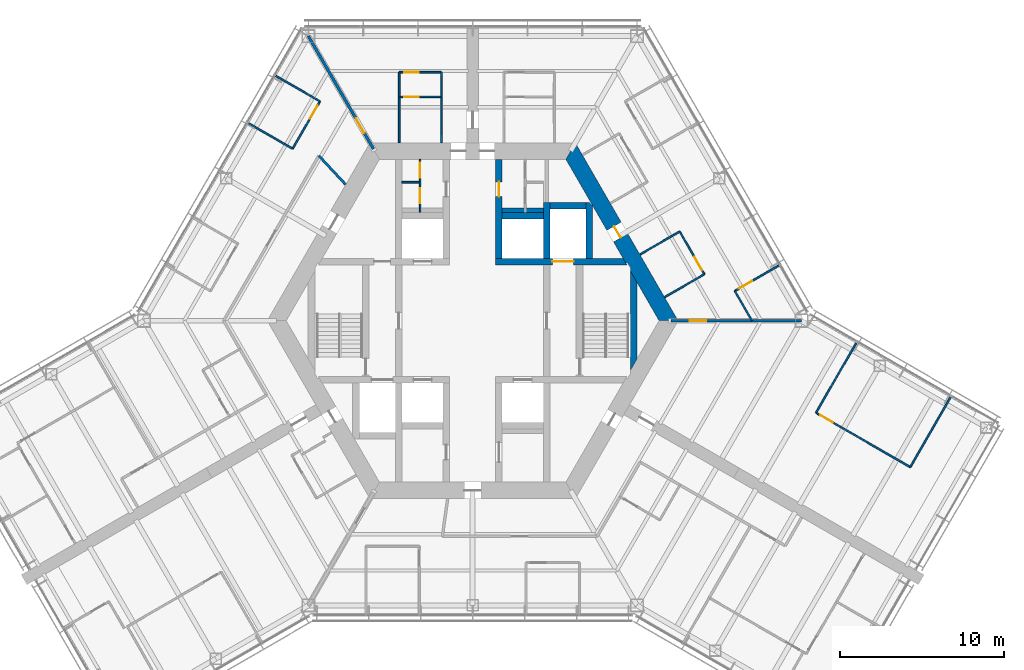
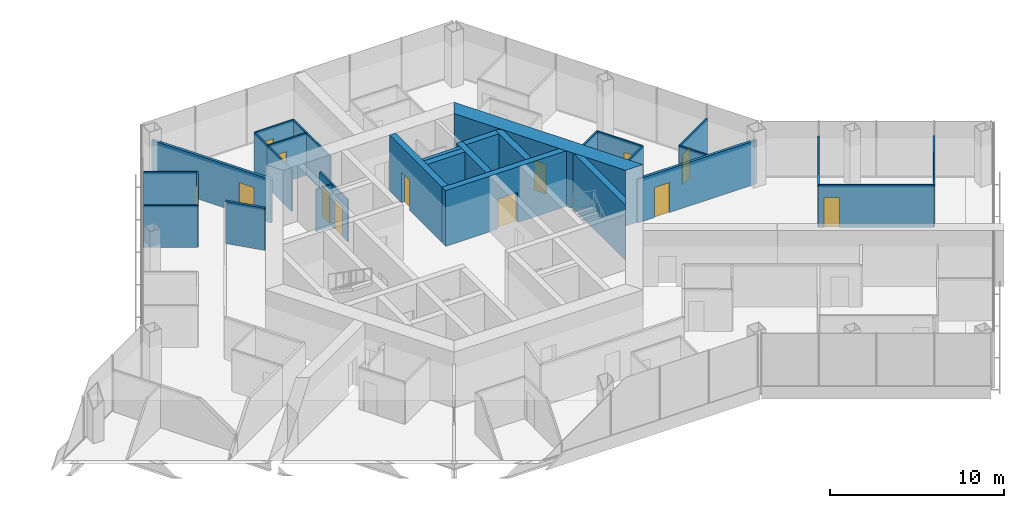
# One storey, part 15 of 19: 31 walls, 13 doors, 13 openings.
"""IFC4 building model written with IfcOpenShell, lengths in metres."""

from ifc_helpers import new_model, si_unit, direction, frame, frame_2d, origin, place, context, subcontext, project, spatial, polyline, rectangle, outline, extrude, material, layer, layer_set, type_object, element, fill, save


model = new_model("IFC4")

# Units and contexts
model_context = context("Model", 3, precision=1e-05, world=origin(), true_north=direction((0.0, 1.0)))
body_context = subcontext(model_context, "Body", "Model", "MODEL_VIEW")
ifc_project = project(units=[si_unit("LENGTHUNIT", "METRE"), si_unit("AREAUNIT", "SQUARE_METRE"), si_unit("VOLUMEUNIT", "CUBIC_METRE"), si_unit("PLANEANGLEUNIT", "RADIAN"), si_unit("MASSUNIT", "GRAM", prefix="KILO")], contexts=[model_context])

# Site, building, storey
site_placement = place(None, origin())
site = spatial("IfcSite", under=ifc_project, at=site_placement, CompositionType="ELEMENT")
building_placement = place(site_placement, origin())
building = spatial("IfcBuilding", under=site, at=building_placement, Name="Kasaneha Research Tower", CompositionType="ELEMENT")
storey_placement = place(building_placement, frame((0.0, 0.0, 160.39990234375)))
storey = spatial("IfcBuildingStorey", under=building, at=storey_placement, Name="L40", CompositionType="ELEMENT", Elevation=160.39990234375)

# Wall, opening, door
ifc_material_1 = material(Name="Concrete Fc70", Category="concrete")
ifc_layer_1 = layer(ifc_material_1, 0.39990234375)
ifc_layer_set_1 = layer_set([ifc_layer_1], Name="Core internal wall 400 Fc70")
wall_type_1 = type_object("IfcWallType", Name="Core internal wall 400 Fc70", PredefinedType="SHEAR", material=ifc_layer_set_1)
wall_1_placement = place(storey_placement, frame((1.39990234375, 3.60009765625, 0.0), z_axis=(0.0, 0.0, 1.0), x_axis=(1.0, 0.0, 0.0)))
wall_1 = element("IfcWall", 1, at=wall_1_placement, inside=storey, type_object=wall_type_1, Name="Core wall W1E L40", PredefinedType="SHEAR", context=body_context, shape_type="SweptSolid", body=[
    extrude(outline(polyline([(0.0, -0.199951171875), (3.449951171875, -0.199951171875), (4.75, -0.199951171875), (7.98193359375, -0.199951171875), (7.7509765625, 0.199951171875), (4.75, 0.199951171875), (3.449951171875, 0.199951171875), (0.0, 0.199951171875), (0.0, -0.199951171875)])), origin(), (0.0, 0.0, 1.0), 3.900146484375),
])
opening_1_placement = place(wall_1_placement, frame((3.449951171875, 0.0, 0.0)))
opening_1 = element("IfcOpeningElement", 2, at=opening_1_placement, cuts=wall_1, Name="Opening LD-FL1-L40", PredefinedType="OPENING", context=body_context, shape_type="SweptSolid", body=[
    extrude(rectangle(XDim=1.300048828125, YDim=2.10009765625, at=frame_2d((0.64990234375, 1.050048828125))), frame((0.0, 0.2099609375, 0.0), z_axis=(0.0, -1.0, 0.0), x_axis=(1.0, 0.0, 0.0)), (0.0, 0.0, 1.0), 0.419921875),
])
ifc_material_2 = material(Name="Steel", Category="steel")
door_type_1 = type_object("IfcDoorType", Name="Lift landing door 1300x2100", OperationType="DOUBLE_DOOR_SLIDING", PredefinedType="DOOR", material=ifc_material_2)
door_1_placement = place(opening_1_placement, origin())
door_1 = element("IfcDoor", 3, at=door_1_placement, inside=storey, type_object=door_type_1, Name="Landing door FL1 LD-FL1-L40", OperationType="DOUBLE_DOOR_SLIDING", OverallHeight=2.10009765625, OverallWidth=1.300048828125, PredefinedType="DOOR", context=body_context, shape_type="SweptSolid", body=[
    extrude(rectangle(XDim=1.300048828125, YDim=2.10009765625, at=frame_2d((0.64990234375, 1.050048828125))), frame((0.0, 0.02490234375, 0.0), z_axis=(0.0, -1.0, 0.0), x_axis=(1.0, 0.0, 0.0)), (0.0, 0.0, 1.0), 0.050048828125),
])
fill(opening_1, door_1)

wall_2_placement = place(storey_placement, frame((1.60009765625, 3.800048828125, 0.0), z_axis=(0.0, 0.0, 1.0), x_axis=(0.0, 1.0, 0.0)))
wall_2 = element("IfcWall", 4, at=wall_2_placement, inside=storey, type_object=wall_type_1, Name="Core wall CNE L40", PredefinedType="SHEAR", context=body_context, shape_type="SweptSolid", body=[
    extrude(rectangle(XDim=6.02490234375, YDim=0.39990234375, at=frame_2d((3.012451171875, 0.0))), origin(), (0.0, 0.0, 1.0), 3.900146484375),
])
opening_2_placement = place(wall_2_placement, frame((3.75, 0.0, 0.0)))
opening_2 = element("IfcOpeningElement", 5, at=opening_2_placement, cuts=wall_2, Name="Opening L40-D14", PredefinedType="OPENING", context=body_context, shape_type="SweptSolid", body=[
    extrude(rectangle(XDim=0.89990234375, YDim=2.10009765625, at=frame_2d((0.449951171875, 1.050048828125))), frame((0.0, 0.2099609375, 0.0), z_axis=(0.0, -1.0, 0.0), x_axis=(1.0, 0.0, 0.0)), (0.0, 0.0, 1.0), 0.419921875),
])
ifc_material_3 = material(Name="Steel", Category="steel")
door_type_2 = type_object("IfcDoorType", Name="Toilet door FD20 900x2100", OperationType="NOTDEFINED", PredefinedType="DOOR", material=ifc_material_3)
door_2_placement = place(opening_2_placement, origin())
door_2 = element("IfcDoor", 6, at=door_2_placement, inside=storey, type_object=door_type_2, Name="Women's WC door L40-D14", OperationType="SINGLE_SWING_LEFT", OverallHeight=2.10009765625, OverallWidth=0.89990234375, PredefinedType="DOOR", context=body_context, shape_type="SweptSolid", body=[
    extrude(rectangle(XDim=0.89990234375, YDim=2.10009765625, at=frame_2d((0.449951171875, 1.050048828125))), frame((0.0, 0.02490234375, 0.0), z_axis=(0.0, -1.0, 0.0), x_axis=(1.0, 0.0, 0.0)), (0.0, 0.0, 1.0), 0.050048828125),
])
fill(opening_2, door_2)

# Walls
wall_3_placement = place(storey_placement, frame((4.5, 3.800048828125, 0.0), z_axis=(0.0, 0.0, 1.0), x_axis=(0.0, 1.0, 0.0)))
element("IfcWall", 7, at=wall_3_placement, inside=storey, type_object=wall_type_1, Name="Core wall FNE L40", PredefinedType="SHEAR", context=body_context, shape_type="SweptSolid", body=[
    extrude(rectangle(XDim=3.39990234375, YDim=0.39990234375, at=frame_2d((1.699951171875, 0.0))), origin(), (0.0, 0.0, 1.0), 3.900146484375),
])
wall_4_placement = place(storey_placement, frame((1.800048828125, 6.39990234375, 0.0), z_axis=(0.0, 0.0, 1.0), x_axis=(1.0, 0.0, 0.0)))
element("IfcWall", 8, at=wall_4_placement, inside=storey, type_object=wall_type_1, Name="Core wall N3N L40", PredefinedType="SHEAR", context=body_context, shape_type="SweptSolid", body=[
    extrude(rectangle(XDim=2.5, YDim=0.39990234375, at=frame_2d((1.25, 0.0))), origin(), (0.0, 0.0, 1.0), 3.900146484375),
])
wall_5_placement = place(storey_placement, frame((4.699951171875, 7.0, 0.0), z_axis=(0.0, 0.0, 1.0), x_axis=(1.0, 0.0, 0.0)))
element("IfcWall", 9, at=wall_5_placement, inside=storey, type_object=wall_type_1, Name="Core wall F1N L40", PredefinedType="SHEAR", context=body_context, shape_type="SweptSolid", body=[
    extrude(rectangle(XDim=2.199951171875, YDim=0.39990234375, at=frame_2d((1.10009765625, 0.0))), origin(), (0.0, 0.0, 1.0), 3.900146484375),
])
wall_6_placement = place(storey_placement, frame((7.10009765625, 3.800048828125, 0.0), z_axis=(0.0, 0.0, 1.0), x_axis=(0.0, 1.0, 0.0)))
element("IfcWall", 10, at=wall_6_placement, inside=storey, type_object=wall_type_1, Name="Core wall F1E L40", PredefinedType="SHEAR", context=body_context, shape_type="SweptSolid", body=[
    extrude(outline(polyline([(0.0, -0.199951171875), (3.205810546875, -0.199951171875), (3.39990234375, 0.0), (3.39990234375, 0.199951171875), (0.0, 0.199951171875), (0.0, -0.199951171875)])), origin(), (0.0, 0.0, 1.0), 3.900146484375),
])
wall_7_placement = place(storey_placement, frame((9.807861328125, -2.662353515625, 0.0), z_axis=(0.0, 0.0, 1.0), x_axis=(0.0, 1.0, 0.0)))
element("IfcWall", 11, at=wall_7_placement, inside=storey, type_object=wall_type_1, Name="Core wall STE L40", PredefinedType="SHEAR", context=body_context, shape_type="SweptSolid", body=[
    extrude(outline(polyline([(0.346435546875, -0.199951171875), (4.978271484375, -0.199951171875), (5.671142578125, 0.199951171875), (-0.346435546875, 0.199951171875), (0.346435546875, -0.199951171875)])), origin(), (0.0, 0.0, 1.0), 3.900146484375),
])

# Wall, opening, door
ifc_material_4 = material(Name="Concrete Fc70", Category="concrete")
ifc_layer_2 = layer(ifc_material_4, 1.0)
ifc_layer_set_2 = layer_set([ifc_layer_2], Name="Core wall 1000 Fc70")
wall_type_2 = type_object("IfcWallType", Name="Core wall 1000 Fc70", PredefinedType="SHEAR", material=ifc_layer_set_2)
wall_8_placement = place(storey_placement, frame((11.92236328125, 0.0, 0.0), z_axis=(0.0, 0.0, 1.0), x_axis=(-0.500004296715, 0.866022923061, 0.0)))
wall_8 = element("IfcWall", 12, at=wall_8_placement, inside=storey, type_object=wall_type_2, Name="Core wall 030 L40", PredefinedType="SHEAR", context=body_context, shape_type="SweptSolid", body=[
    extrude(outline(polyline([(-0.28857421875, -0.5), (5.83544921875, -0.5), (6.635498046875, -0.5), (12.2109375, -0.5), (11.6337890625, 0.5), (6.635498046875, 0.5), (5.83544921875, 0.5), (0.28857421875, 0.5), (-0.28857421875, -0.5)])), origin(), (0.0, 0.0, 1.0), 3.900146484375),
])
opening_3_placement = place(wall_8_placement, frame((5.83544921875, 0.0, 0.0)))
opening_3 = element("IfcOpeningElement", 13, at=opening_3_placement, cuts=wall_8, Name="Opening L40-D04", PredefinedType="OPENING", context=body_context, shape_type="SweptSolid", body=[
    extrude(rectangle(XDim=0.800048828125, YDim=2.10009765625, at=frame_2d((0.39990234375, 1.050048828125))), frame((0.0, 0.510009765625, 0.0), z_axis=(0.0, -1.0, 0.0), x_axis=(1.0, 0.0, 0.0)), (0.0, 0.0, 1.0), 1.02001953125),
])
ifc_material_5 = material(Name="Steel", Category="steel")
door_type_3 = type_object("IfcDoorType", Name="Riser access door FD60 800x2100", OperationType="NOTDEFINED", PredefinedType="DOOR", material=ifc_material_5)
door_3_placement = place(opening_3_placement, origin())
door_3 = element("IfcDoor", 14, at=door_3_placement, inside=storey, type_object=door_type_3, Name="Pipe riser door L40-D04", OperationType="SINGLE_SWING_RIGHT", OverallHeight=2.10009765625, OverallWidth=0.800048828125, PredefinedType="DOOR", context=body_context, shape_type="SweptSolid", body=[
    extrude(rectangle(XDim=0.800048828125, YDim=2.10009765625, at=frame_2d((0.39990234375, 1.050048828125))), frame((0.0, 0.02490234375, 0.0), z_axis=(0.0, -1.0, 0.0), x_axis=(1.0, 0.0, 0.0)), (0.0, 0.0, 1.0), 0.050048828125),
])
fill(opening_3, door_3)

# Wall, openings, doors
ifc_material_6 = material(Name="Gypsum board on steel studs, one layer each side", Category="steel")
ifc_layer_3 = layer(ifc_material_6, 0.10009765625)
ifc_layer_set_3 = layer_set([ifc_layer_3], Name="Office partition 100")
wall_type_3 = type_object("IfcWallType", Name="Office partition 100", PredefinedType="PARTITIONING", material=ifc_layer_set_3)
wall_9_placement = place(storey_placement, frame((-3.199951171875, 6.60009765625, 0.0), z_axis=(0.0, 0.0, 1.0), x_axis=(0.0, 1.0, 0.0)))
wall_9 = element("IfcWall", 15, at=wall_9_placement, inside=storey, type_object=wall_type_3, Name="Office partition TBM1 L40", PredefinedType="PARTITIONING", context=body_context, shape_type="SweptSolid", body=[
    extrude(rectangle(XDim=3.224853515625, YDim=0.10009765625, at=frame_2d((1.6123046875, 0.0))), origin(), (0.0, 0.0, 1.0), 2.9501953125),
])
opening_4_placement = place(wall_9_placement, frame((0.5625, 0.0, 0.0)))
opening_4 = element("IfcOpeningElement", 16, at=opening_4_placement, cuts=wall_9, Name="Opening L40-D20", PredefinedType="OPENING", context=body_context, shape_type="SweptSolid", body=[
    extrude(rectangle(XDim=0.89990234375, YDim=2.10009765625, at=frame_2d((0.449951171875, 1.050048828125))), frame((0.0, 0.06005859375, 0.0), z_axis=(0.0, -1.0, 0.0), x_axis=(1.0, 0.0, 0.0)), (0.0, 0.0, 1.0), 0.1201171875),
])
opening_5_placement = place(wall_9_placement, frame((2.10009765625, 0.0, 0.0)))
opening_5 = element("IfcOpeningElement", 17, at=opening_5_placement, cuts=wall_9, Name="Opening L40-D21", PredefinedType="OPENING", context=body_context, shape_type="SweptSolid", body=[
    extrude(rectangle(XDim=0.89990234375, YDim=2.10009765625, at=frame_2d((0.449951171875, 1.050048828125))), frame((0.0, 0.06005859375, 0.0), z_axis=(0.0, -1.0, 0.0), x_axis=(1.0, 0.0, 0.0)), (0.0, 0.0, 1.0), 0.1201171875),
])
ifc_material_7 = material(Name="Steel", Category="steel")
door_type_4 = type_object("IfcDoorType", Name="Toilet lobby door FD30 900x2100", OperationType="NOTDEFINED", PredefinedType="DOOR", material=ifc_material_7)
door_4_placement = place(opening_4_placement, origin())
door_4 = element("IfcDoor", 18, at=door_4_placement, inside=storey, type_object=door_type_4, Name="Men's WC door L40-D20", OperationType="SINGLE_SWING_RIGHT", OverallHeight=2.10009765625, OverallWidth=0.89990234375, PredefinedType="DOOR", context=body_context, shape_type="SweptSolid", body=[
    extrude(rectangle(XDim=0.89990234375, YDim=2.10009765625, at=frame_2d((0.449951171875, 1.050048828125))), frame((0.0, 0.02490234375, 0.0), z_axis=(0.0, -1.0, 0.0), x_axis=(1.0, 0.0, 0.0)), (0.0, 0.0, 1.0), 0.050048828125),
])
fill(opening_4, door_4)
door_5_placement = place(opening_5_placement, origin())
door_5 = element("IfcDoor", 19, at=door_5_placement, inside=storey, type_object=door_type_4, Name="Cleaner's store door L40-D21", OperationType="SINGLE_SWING_RIGHT", OverallHeight=2.10009765625, OverallWidth=0.89990234375, PredefinedType="DOOR", context=body_context, shape_type="SweptSolid", body=[
    extrude(rectangle(XDim=0.89990234375, YDim=2.10009765625, at=frame_2d((0.449951171875, 1.050048828125))), frame((0.0, 0.02490234375, 0.0), z_axis=(0.0, -1.0, 0.0), x_axis=(1.0, 0.0, 0.0)), (0.0, 0.0, 1.0), 0.050048828125),
])
fill(opening_5, door_5)

# Walls
wall_10_placement = place(storey_placement, frame((-3.25, 8.425048828125, 0.0), z_axis=(0.0, 0.0, 1.0), x_axis=(-1.0, 0.0, 0.0)))
element("IfcWall", 20, at=wall_10_placement, inside=storey, type_object=wall_type_3, Name="Office partition TBM2 L40", PredefinedType="PARTITIONING", context=body_context, shape_type="SweptSolid", body=[
    extrude(rectangle(XDim=1.050048828125, YDim=0.10009765625, at=frame_2d((0.52490234375, 0.0))), origin(), (0.0, 0.0, 1.0), 2.9501953125),
])
wall_11_placement = place(storey_placement, frame((10.19189453125, 4.036865234375, 0.0), z_axis=(0.0, 0.0, 1.0), x_axis=(0.866018876994, 0.500011304563, 0.0)))
element("IfcWall", 21, at=wall_11_placement, inside=storey, type_object=wall_type_3, Name="Office partition FAE07 L40", PredefinedType="PARTITIONING", context=body_context, shape_type="SweptSolid", body=[
    extrude(rectangle(XDim=2.7802734375, YDim=0.10009765625, at=frame_2d((1.39013671875, 0.0))), origin(), (0.0, 0.0, 1.0), 2.9501953125),
])

# Wall, opening, door
wall_12_placement = place(storey_placement, frame((12.599609375, 5.427001953125, 0.0), z_axis=(0.0, 0.0, 1.0), x_axis=(0.499990139034, -0.866031096941, 0.0)))
wall_12 = element("IfcWall", 22, at=wall_12_placement, inside=storey, type_object=wall_type_3, Name="Office partition FAE08 L40", PredefinedType="PARTITIONING", context=body_context, shape_type="SweptSolid", body=[
    extrude(rectangle(XDim=3.0, YDim=0.10009765625, at=frame_2d((1.5, 0.0))), origin(), (0.0, 0.0, 1.0), 2.9501953125),
])
opening_6_placement = place(wall_12_placement, frame((1.800048828125, 0.0, 0.0)))
opening_6 = element("IfcOpeningElement", 23, at=opening_6_placement, cuts=wall_12, Name="Opening L40-D29", PredefinedType="OPENING", context=body_context, shape_type="SweptSolid", body=[
    extrude(rectangle(XDim=0.89990234375, YDim=2.10009765625, at=frame_2d((0.449951171875, 1.050048828125))), frame((0.0, 0.06005859375, 0.0), z_axis=(0.0, -1.0, 0.0), x_axis=(1.0, 0.0, 0.0)), (0.0, 0.0, 1.0), 0.1201171875),
])
ifc_material_8 = material(Name="Timber veneer", Category="wood")
door_type_5 = type_object("IfcDoorType", Name="Office door 900x2100", OperationType="SINGLE_SWING_LEFT", PredefinedType="DOOR", material=ifc_material_8)
door_6_placement = place(opening_6_placement, origin())
door_6 = element("IfcDoor", 24, at=door_6_placement, inside=storey, type_object=door_type_5, Name="Pantry door L40-D29", OperationType="SINGLE_SWING_RIGHT", OverallHeight=2.10009765625, OverallWidth=0.89990234375, PredefinedType="DOOR", context=body_context, shape_type="SweptSolid", body=[
    extrude(rectangle(XDim=0.89990234375, YDim=2.10009765625, at=frame_2d((0.449951171875, 1.050048828125))), frame((0.0, 0.02490234375, 0.0), z_axis=(0.0, -1.0, 0.0), x_axis=(1.0, 0.0, 0.0)), (0.0, 0.0, 1.0), 0.050048828125),
])
fill(opening_6, door_6)

# Wall
wall_13_placement = place(storey_placement, frame((14.099609375, 2.828857421875, 0.0), z_axis=(0.0, 0.0, 1.0), x_axis=(-0.866018876994, -0.500011304563, 0.0)))
element("IfcWall", 25, at=wall_13_placement, inside=storey, type_object=wall_type_3, Name="Office partition FAE09 L40", PredefinedType="PARTITIONING", context=body_context, shape_type="SweptSolid", body=[
    extrude(rectangle(XDim=2.7802734375, YDim=0.10009765625, at=frame_2d((1.39013671875, 0.0))), origin(), (0.0, 0.0, 1.0), 2.9501953125),
])

# Wall, opening, door
wall_14_placement = place(storey_placement, frame((15.952392578125, 1.810546875, 0.0), z_axis=(0.0, 0.0, 1.0), x_axis=(0.866036212918, 0.499981277565, 0.0)))
wall_14 = element("IfcWall", 26, at=wall_14_placement, inside=storey, type_object=wall_type_3, Name="Office partition FAE16 L40", PredefinedType="PARTITIONING", context=body_context, shape_type="SweptSolid", body=[
    extrude(rectangle(XDim=3.1298828125, YDim=0.10009765625, at=frame_2d((1.56494140625, 0.0))), origin(), (0.0, 0.0, 1.0), 2.9501953125),
])
opening_7_placement = place(wall_14_placement, frame((0.300048828125, 0.0, 0.0)))
opening_7 = element("IfcOpeningElement", 27, at=opening_7_placement, cuts=wall_14, Name="Opening L40-D32", PredefinedType="OPENING", context=body_context, shape_type="SweptSolid", body=[
    extrude(rectangle(XDim=0.89990234375, YDim=2.10009765625, at=frame_2d((0.449951171875, 1.050048828125))), frame((0.0, 0.06005859375, 0.0), z_axis=(0.0, -1.0, 0.0), x_axis=(1.0, 0.0, 0.0)), (0.0, 0.0, 1.0), 0.1201171875),
])
door_7_placement = place(opening_7_placement, origin())
door_7 = element("IfcDoor", 28, at=door_7_placement, inside=storey, type_object=door_type_5, Name="Workroom door L40-D32", OperationType="SINGLE_SWING_LEFT", OverallHeight=2.10009765625, OverallWidth=0.89990234375, PredefinedType="DOOR", context=body_context, shape_type="SweptSolid", body=[
    extrude(rectangle(XDim=0.89990234375, YDim=2.10009765625, at=frame_2d((0.449951171875, 1.050048828125))), frame((0.0, 0.02490234375, 0.0), z_axis=(0.0, -1.0, 0.0), x_axis=(1.0, 0.0, 0.0)), (0.0, 0.0, 1.0), 0.050048828125),
])
fill(opening_7, door_7)

# Wall
wall_15_placement = place(storey_placement, frame((16.986083984375, 0.02001953125, 0.0), z_axis=(0.0, 0.0, 1.0), x_axis=(-0.499974592989, 0.866040072032, 0.0)))
element("IfcWall", 29, at=wall_15_placement, inside=storey, type_object=wall_type_3, Name="Office partition FAE17 L40", PredefinedType="PARTITIONING", context=body_context, shape_type="SweptSolid", body=[
    extrude(rectangle(XDim=2.0673828125, YDim=0.10009765625, at=frame_2d((1.03369140625, 0.0))), origin(), (0.0, 0.0, 1.0), 2.9501953125),
])

# Wall, opening, door
wall_16_placement = place(storey_placement, frame((-4.470947265625, 13.6201171875, 0.0), z_axis=(0.0, 0.0, 1.0), x_axis=(1.0, 0.0, 0.0)))
wall_16 = element("IfcWall", 30, at=wall_16_placement, inside=storey, type_object=wall_type_3, Name="Office partition FAW01 L40", PredefinedType="PARTITIONING", context=body_context, shape_type="SweptSolid", body=[
    extrude(rectangle(XDim=2.571044921875, YDim=0.10009765625, at=frame_2d((1.28564453125, 0.0))), origin(), (0.0, 0.0, 1.0), 2.9501953125),
])
opening_8_placement = place(wall_16_placement, frame((0.300048828125, 0.0, 0.0)))
opening_8 = element("IfcOpeningElement", 31, at=opening_8_placement, cuts=wall_16, Name="Opening L40-D33", PredefinedType="OPENING", context=body_context, shape_type="SweptSolid", body=[
    extrude(rectangle(XDim=0.89990234375, YDim=2.10009765625, at=frame_2d((0.449951171875, 1.050048828125))), frame((0.0, 0.06005859375, 0.0), z_axis=(0.0, -1.0, 0.0), x_axis=(1.0, 0.0, 0.0)), (0.0, 0.0, 1.0), 0.1201171875),
])
door_8_placement = place(opening_8_placement, origin())
door_8 = element("IfcDoor", 32, at=door_8_placement, inside=storey, type_object=door_type_4, Name="Men's WC door L40-D33", OperationType="SINGLE_SWING_LEFT", OverallHeight=2.10009765625, OverallWidth=0.89990234375, PredefinedType="DOOR", context=body_context, shape_type="SweptSolid", body=[
    extrude(rectangle(XDim=0.89990234375, YDim=2.10009765625, at=frame_2d((0.449951171875, 1.050048828125))), frame((0.0, 0.02490234375, 0.0), z_axis=(0.0, -1.0, 0.0), x_axis=(1.0, 0.0, 0.0)), (0.0, 0.0, 1.0), 0.050048828125),
])
fill(opening_8, door_8)

# Walls
for number, where, z_axis, x_axis, name in (
    (33, (-4.470947265625, 10.844970703125, 0.0), (0.0, 0.0, 1.0), (0.001668567099, 0.999998607941, 0.0), "Office partition FAW02 L40"),
    (34, (-1.90478515625, 13.625, 0.0), (0.0, 0.0, 1.0), (0.001756386155, -0.999998457553, 0.0), "Office partition FAW03 L40"),
):
    element("IfcWall", number, at=place(storey_placement, frame(where, z_axis=z_axis, x_axis=x_axis)), inside=storey, type_object=wall_type_3, Name=name, PredefinedType="PARTITIONING", context=body_context, shape_type="SweptSolid", body=[
        extrude(rectangle(XDim=2.780029296875, YDim=0.10009765625, at=frame_2d((1.39013671875, 0.0))), origin(), (0.0, 0.0, 1.0), 2.9501953125),
    ])

# Wall, opening, door
wall_17_placement = place(storey_placement, frame((-4.470947265625, 15.125, 0.0), z_axis=(0.0, 0.0, 1.0), x_axis=(1.0, 0.0, 0.0)))
wall_17 = element("IfcWall", 35, at=wall_17_placement, inside=storey, type_object=wall_type_3, Name="Office partition FAW04 L40", PredefinedType="PARTITIONING", context=body_context, shape_type="SweptSolid", body=[
    extrude(rectangle(XDim=2.571044921875, YDim=0.10009765625, at=frame_2d((1.28564453125, 0.0))), origin(), (0.0, 0.0, 1.0), 2.9501953125),
])
opening_9_placement = place(wall_17_placement, frame((0.300048828125, 0.0, 0.0)))
opening_9 = element("IfcOpeningElement", 36, at=opening_9_placement, cuts=wall_17, Name="Opening L40-D34", PredefinedType="OPENING", context=body_context, shape_type="SweptSolid", body=[
    extrude(rectangle(XDim=0.89990234375, YDim=2.10009765625, at=frame_2d((0.449951171875, 1.050048828125))), frame((0.0, 0.06005859375, 0.0), z_axis=(0.0, -1.0, 0.0), x_axis=(1.0, 0.0, 0.0)), (0.0, 0.0, 1.0), 0.1201171875),
])
door_9_placement = place(opening_9_placement, origin())
door_9 = element("IfcDoor", 37, at=door_9_placement, inside=storey, type_object=door_type_4, Name="Toilet lobby door L40-D34", OperationType="SINGLE_SWING_LEFT", OverallHeight=2.10009765625, OverallWidth=0.89990234375, PredefinedType="DOOR", context=body_context, shape_type="SweptSolid", body=[
    extrude(rectangle(XDim=0.89990234375, YDim=2.10009765625, at=frame_2d((0.449951171875, 1.050048828125))), frame((0.0, 0.02490234375, 0.0), z_axis=(0.0, -1.0, 0.0), x_axis=(1.0, 0.0, 0.0)), (0.0, 0.0, 1.0), 0.050048828125),
])
fill(opening_9, door_9)

# Walls
for number, where, z_axis, x_axis, name in (
    (38, (-4.46630859375, 13.625, 0.0), (0.0, 0.0, 1.0), (-0.00309243313, 0.999995218417, 0.0), "Office partition FAW05 L40"),
    (39, (-1.89990234375, 15.125, 0.0), (0.0, 0.0, 1.0), (-0.003255191087, -0.999994701851, 0.0), "Office partition FAW06 L40"),
):
    element("IfcWall", number, at=place(storey_placement, frame(where, z_axis=z_axis, x_axis=x_axis)), inside=storey, type_object=wall_type_3, Name=name, PredefinedType="PARTITIONING", context=body_context, shape_type="SweptSolid", body=[
        extrude(rectangle(XDim=1.5, YDim=0.10009765625, at=frame_2d((0.75, 0.0))), origin(), (0.0, 0.0, 1.0), 2.9501953125),
    ])
wall_18_placement = place(storey_placement, frame((-11.979736328125, 14.901611328125, 0.0), z_axis=(0.0, 0.0, 1.0), x_axis=(0.866042875753, -0.499969736442, 0.0)))
element("IfcWall", 40, at=wall_18_placement, inside=storey, type_object=wall_type_3, Name="Office partition FBN18 L40", PredefinedType="PARTITIONING", context=body_context, shape_type="SweptSolid", body=[
    extrude(rectangle(XDim=3.105224609375, YDim=0.10009765625, at=frame_2d((1.552734375, 0.0))), origin(), (0.0, 0.0, 1.0), 2.9501953125),
])
wall_19_placement = place(storey_placement, frame((-10.9560546875, 10.464599609375, 0.0), z_axis=(0.0, 0.0, 1.0), x_axis=(-0.866044340336, 0.499967199496, 0.0)))
element("IfcWall", 41, at=wall_19_placement, inside=storey, type_object=wall_type_3, Name="Office partition FBN19 L40", PredefinedType="PARTITIONING", context=body_context, shape_type="SweptSolid", body=[
    extrude(rectangle(XDim=3.079833984375, YDim=0.10009765625, at=frame_2d((1.5400390625, 0.0))), origin(), (0.0, 0.0, 1.0), 2.9501953125),
])

# Wall, opening, door
wall_20_placement = place(storey_placement, frame((-9.29052734375, 13.34912109375, 0.0), z_axis=(0.0, 0.0, 1.0), x_axis=(-0.500033344505, -0.86600615147, 0.0)))
wall_20 = element("IfcWall", 42, at=wall_20_placement, inside=storey, type_object=wall_type_3, Name="Office partition FBN20 L40", PredefinedType="PARTITIONING", context=body_context, shape_type="SweptSolid", body=[
    extrude(rectangle(XDim=3.330810546875, YDim=0.10009765625, at=frame_2d((1.66552734375, 0.0))), origin(), (0.0, 0.0, 1.0), 2.9501953125),
])
opening_10_placement = place(wall_20_placement, frame((0.300048828125, 0.0, 0.0)))
opening_10 = element("IfcOpeningElement", 43, at=opening_10_placement, cuts=wall_20, Name="Opening L40-D41", PredefinedType="OPENING", context=body_context, shape_type="SweptSolid", body=[
    extrude(rectangle(XDim=0.89990234375, YDim=2.10009765625, at=frame_2d((0.449951171875, 1.050048828125))), frame((0.0, 0.06005859375, 0.0), z_axis=(0.0, -1.0, 0.0), x_axis=(1.0, 0.0, 0.0)), (0.0, 0.0, 1.0), 0.1201171875),
])
door_10_placement = place(opening_10_placement, origin())
door_10 = element("IfcDoor", 44, at=door_10_placement, inside=storey, type_object=door_type_5, Name="Manager's office door L40-D41", OperationType="SINGLE_SWING_LEFT", OverallHeight=2.10009765625, OverallWidth=0.89990234375, PredefinedType="DOOR", context=body_context, shape_type="SweptSolid", body=[
    extrude(rectangle(XDim=0.89990234375, YDim=2.10009765625, at=frame_2d((0.449951171875, 1.050048828125))), frame((0.0, 0.02490234375, 0.0), z_axis=(0.0, -1.0, 0.0), x_axis=(1.0, 0.0, 0.0)), (0.0, 0.0, 1.0), 0.050048828125),
])
fill(opening_10, door_10)

# Wall
wall_21_placement = place(storey_placement, frame((20.89208984375, -5.595703125, 0.0), z_axis=(0.0, 0.0, 1.0), x_axis=(0.500040029196, 0.866002291684, 0.0)))
element("IfcWall", 45, at=wall_21_placement, inside=storey, type_object=wall_type_3, Name="Office partition FCE01 L40", PredefinedType="PARTITIONING", context=body_context, shape_type="SweptSolid", body=[
    extrude(rectangle(XDim=4.8798828125, YDim=0.10009765625, at=frame_2d((2.43994140625, 0.0))), origin(), (0.0, 0.0, 1.0), 2.9501953125),
])

# Wall, opening, door
wall_22_placement = place(storey_placement, frame((26.625, -8.905517578125, 0.0), z_axis=(0.0, 0.0, 1.0), x_axis=(-0.866030817826, 0.499990622488, 0.0)))
wall_22 = element("IfcWall", 46, at=wall_22_placement, inside=storey, type_object=wall_type_3, Name="Office partition FCE02 L40", PredefinedType="PARTITIONING", context=body_context, shape_type="SweptSolid", body=[
    extrude(rectangle(XDim=6.619873046875, YDim=0.10009765625, at=frame_2d((3.31005859375, 0.0))), origin(), (0.0, 0.0, 1.0), 2.9501953125),
])
opening_11_placement = place(wall_22_placement, frame((5.419677734375, 0.0, 0.0)))
opening_11 = element("IfcOpeningElement", 47, at=opening_11_placement, cuts=wall_22, Name="Opening L40-D46", PredefinedType="OPENING", context=body_context, shape_type="SweptSolid", body=[
    extrude(rectangle(XDim=0.89990234375, YDim=2.10009765625, at=frame_2d((0.449951171875, 1.050048828125))), frame((0.0, 0.06005859375, 0.0), z_axis=(0.0, -1.0, 0.0), x_axis=(1.0, 0.0, 0.0)), (0.0, 0.0, 1.0), 0.1201171875),
])
door_11_placement = place(opening_11_placement, origin())
door_11 = element("IfcDoor", 48, at=door_11_placement, inside=storey, type_object=door_type_5, Name="Meeting room door L40-D46", OperationType="SINGLE_SWING_RIGHT", OverallHeight=2.10009765625, OverallWidth=0.89990234375, PredefinedType="DOOR", context=body_context, shape_type="SweptSolid", body=[
    extrude(rectangle(XDim=0.89990234375, YDim=2.10009765625, at=frame_2d((0.449951171875, 1.050048828125))), frame((0.0, 0.02490234375, 0.0), z_axis=(0.0, -1.0, 0.0), x_axis=(1.0, 0.0, 0.0)), (0.0, 0.0, 1.0), 0.050048828125),
])
fill(opening_11, door_11)

# Walls
wall_23_placement = place(storey_placement, frame((29.077392578125, -4.65771484375, 0.0), z_axis=(0.0, 0.0, 1.0), x_axis=(-0.499988153533, -0.866032243237, 0.0)))
element("IfcWall", 49, at=wall_23_placement, inside=storey, type_object=wall_type_3, Name="Office partition FCE03 L40", PredefinedType="PARTITIONING", context=body_context, shape_type="SweptSolid", body=[
    extrude(rectangle(XDim=4.90478515625, YDim=0.10009765625, at=frame_2d((2.452392578125, 0.0))), origin(), (0.0, 0.0, 1.0), 2.9501953125),
])
ifc_material_9 = material(Name="Gypsum board on steel studs, two layers each side", Category="steel")
ifc_layer_4 = layer(ifc_material_9, 0.14990234375)
ifc_layer_set_4 = layer_set([ifc_layer_4], Name="Suite partition 150")
wall_type_4 = type_object("IfcWallType", Name="Suite partition 150", PredefinedType="PARTITIONING", material=ifc_layer_set_4)
wall_24_placement = place(storey_placement, frame((-9.360107421875, 10.03759765625, 0.0), z_axis=(0.0, 0.0, 1.0), x_axis=(0.681997114248, -0.731354863358, 0.0)))
element("IfcWall", 50, at=wall_24_placement, inside=storey, type_object=wall_type_4, Name="Suite partition FBN06 L40", PredefinedType="PARTITIONING", context=body_context, shape_type="SweptSolid", body=[
    extrude(outline(polyline([(0.0, -0.074951171875), (2.384033203125, -0.074951171875), (2.384033203125, 0.0), (2.382080078125, 0.074951171875), (0.0, 0.074951171875), (0.0, -0.074951171875)])), origin(), (0.0, 0.0, 1.0), 2.9501953125),
])

# Wall, opening, door
ifc_material_10 = material(Name="Gypsum board on steel studs, two layers each side", Category="steel")
ifc_layer_5 = layer(ifc_material_10, 0.175048828125)
ifc_layer_set_5 = layer_set([ifc_layer_5], Name="Tenancy fire partition 175")
wall_type_5 = type_object("IfcWallType", Name="Tenancy fire partition 175", PredefinedType="PARTITIONING", material=ifc_layer_set_5)
wall_25_placement = place(storey_placement, frame((12.069580078125, 0.0, 0.0), z_axis=(0.0, 0.0, 1.0), x_axis=(1.0, 0.0, 0.0)))
wall_25 = element("IfcWall", 51, at=wall_25_placement, inside=storey, type_object=wall_type_5, Name="Tenancy fire partition T000 L40", PredefinedType="PARTITIONING", context=body_context, shape_type="SweptSolid", body=[
    extrude(rectangle(XDim=7.930419921875, YDim=0.175048828125, at=frame_2d((3.96533203125, 0.0))), origin(), (0.0, 0.0, 1.0), 3.050048828125),
])
opening_12_placement = place(wall_25_placement, frame((1.1298828125, 0.0, 0.0)))
opening_12 = element("IfcOpeningElement", 52, at=opening_12_placement, cuts=wall_25, Name="Opening L40-D24", PredefinedType="OPENING", context=body_context, shape_type="SweptSolid", body=[
    extrude(rectangle(XDim=1.0, YDim=2.10009765625, at=frame_2d((0.5, 1.050048828125))), frame((0.0, 0.09765625, 0.0), z_axis=(0.0, -1.0, 0.0), x_axis=(1.0, 0.0, 0.0)), (0.0, 0.0, 1.0), 0.195068359375),
])
ifc_material_11 = material(Name="Steel", Category="steel")
door_type_6 = type_object("IfcDoorType", Name="Suite entrance door FD60 1000x2100", OperationType="NOTDEFINED", PredefinedType="DOOR", material=ifc_material_11)
door_12_placement = place(opening_12_placement, origin())
door_12 = element("IfcDoor", 53, at=door_12_placement, inside=storey, type_object=door_type_6, Name="Connecting door L40-D24", OperationType="SINGLE_SWING_LEFT", OverallHeight=2.10009765625, OverallWidth=1.0, PredefinedType="DOOR", context=body_context, shape_type="SweptSolid", body=[
    extrude(rectangle(XDim=1.0, YDim=2.10009765625, at=frame_2d((0.5, 1.050048828125))), frame((0.0, 0.02490234375, 0.0), z_axis=(0.0, -1.0, 0.0), x_axis=(1.0, 0.0, 0.0)), (0.0, 0.0, 1.0), 0.050048828125),
])
fill(opening_12, door_12)

wall_26_placement = place(storey_placement, frame((-6.034912109375, 10.45263671875, 0.0), z_axis=(0.0, 0.0, 1.0), x_axis=(-0.499989830942, 0.866031274813, 0.0)))
wall_26 = element("IfcWall", 54, at=wall_26_placement, inside=storey, type_object=wall_type_5, Name="Tenancy fire partition T120 L40", PredefinedType="PARTITIONING", context=body_context, shape_type="SweptSolid", body=[
    extrude(rectangle(XDim=7.930419921875, YDim=0.175048828125, at=frame_2d((3.96533203125, 0.0))), origin(), (0.0, 0.0, 1.0), 3.050048828125),
])
opening_13_placement = place(wall_26_placement, frame((1.1298828125, 0.0, 0.0)))
opening_13 = element("IfcOpeningElement", 55, at=opening_13_placement, cuts=wall_26, Name="Opening L40-D25", PredefinedType="OPENING", context=body_context, shape_type="SweptSolid", body=[
    extrude(rectangle(XDim=1.0, YDim=2.10009765625, at=frame_2d((0.5, 1.050048828125))), frame((0.0, 0.09765625, 0.0), z_axis=(0.0, -1.0, 0.0), x_axis=(1.0, 0.0, 0.0)), (0.0, 0.0, 1.0), 0.195068359375),
])
door_13_placement = place(opening_13_placement, origin())
door_13 = element("IfcDoor", 56, at=door_13_placement, inside=storey, type_object=door_type_6, Name="Connecting door L40-D25", OperationType="SINGLE_SWING_LEFT", OverallHeight=2.10009765625, OverallWidth=1.0, PredefinedType="DOOR", context=body_context, shape_type="SweptSolid", body=[
    extrude(rectangle(XDim=1.0, YDim=2.10009765625, at=frame_2d((0.5, 1.050048828125))), frame((0.0, 0.02490234375, 0.0), z_axis=(0.0, -1.0, 0.0), x_axis=(1.0, 0.0, 0.0)), (0.0, 0.0, 1.0), 0.050048828125),
])
fill(opening_13, door_13)

# Wall
ifc_material_12 = material(Name="Concrete block lining", Category="concrete")
ifc_layer_6 = layer(ifc_material_12, 0.25)
ifc_layer_set_6 = layer_set([ifc_layer_6], Name="WC plumbing wall 250")
wall_type_6 = type_object("IfcWallType", Name="WC plumbing wall 250", PredefinedType="PLUMBINGWALL", material=ifc_layer_set_6)
wall_27_placement = place(storey_placement, frame((1.800048828125, 6.72509765625, 0.0), z_axis=(0.0, 0.0, 1.0), x_axis=(1.0, 0.0, 0.0)))
element("IfcWall", 57, at=wall_27_placement, inside=storey, type_object=wall_type_6, Name="WC plumbing wall F L40", PredefinedType="PLUMBINGWALL", context=body_context, shape_type="SweptSolid", body=[
    extrude(rectangle(XDim=2.5, YDim=0.25, at=frame_2d((1.25, 0.0))), origin(), (0.0, 0.0, 1.0), 3.900146484375),
])

save(model, "model.ifc")
